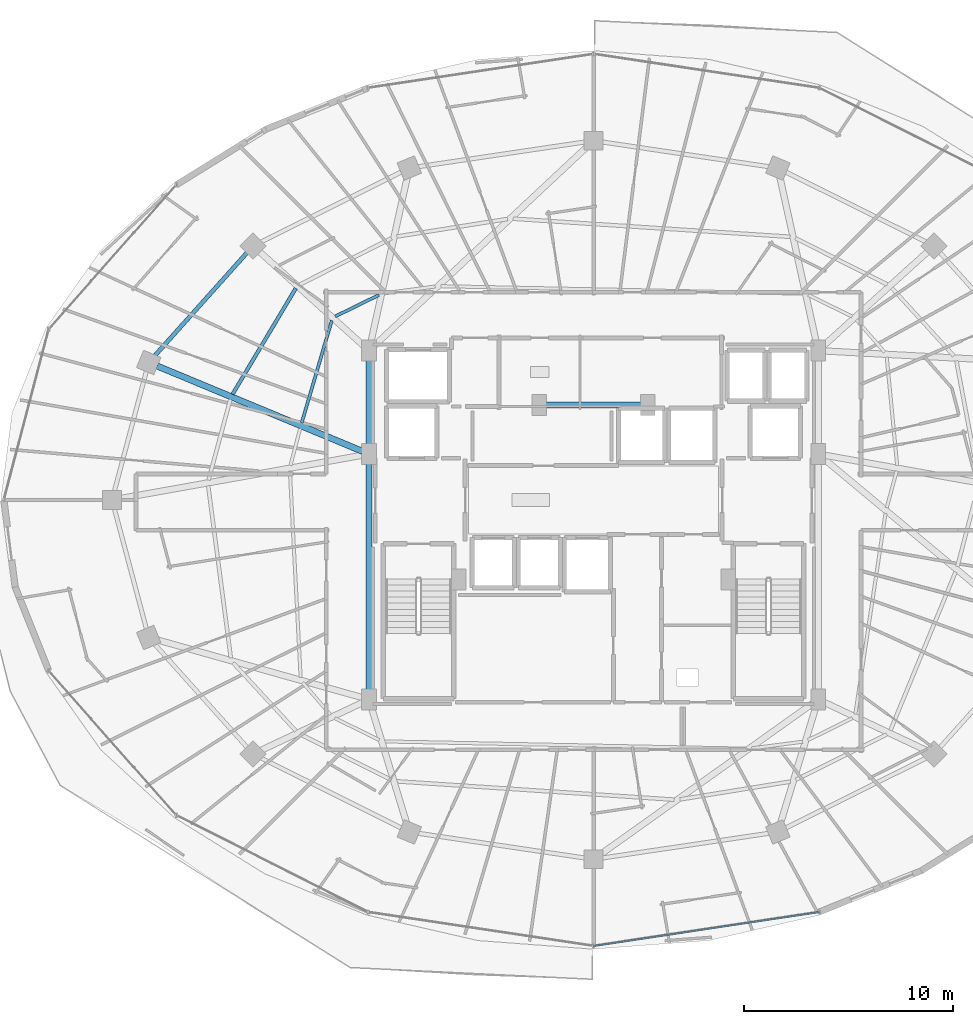
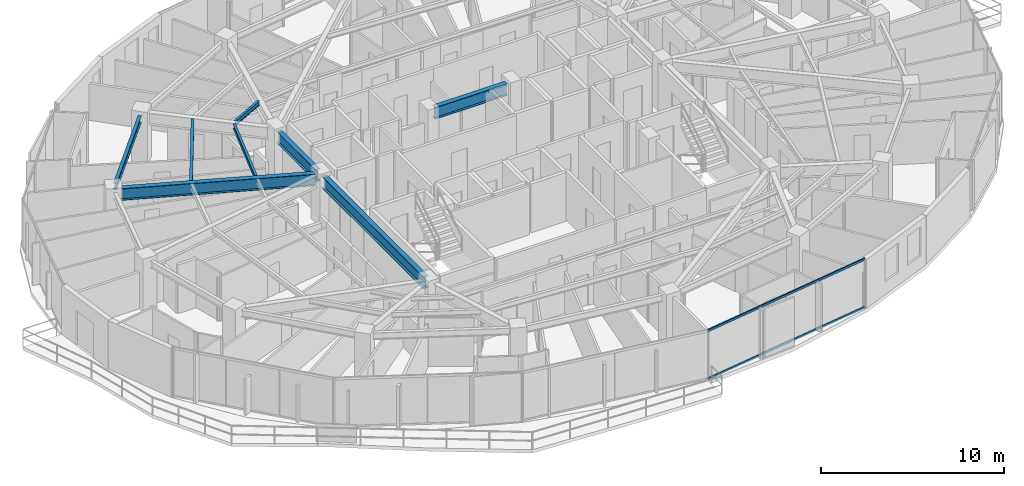
# One storey, part 10 of 34: 8 beams, 2 members, 1 element without a shape of its own.
"""IFC4 building model written with IfcOpenShell, lengths in metres."""

from ifc_helpers import new_model, si_unit, direction, frame, origin, origin_2d, place, context, subcontext, project, spatial, hollow_rectangle, i_section, extrude, material, material_profile, profile_set, type_object, element, aggregate, save


model = new_model("IFC4")

# Units and contexts
model_context = context("Model", 3, precision=1e-05, world=origin(), true_north=direction((0.0, 1.0)))
body_context = subcontext(model_context, "Body", "Model", "MODEL_VIEW")
ifc_project = project(units=[si_unit("LENGTHUNIT", "METRE"), si_unit("AREAUNIT", "SQUARE_METRE"), si_unit("VOLUMEUNIT", "CUBIC_METRE"), si_unit("PLANEANGLEUNIT", "RADIAN"), si_unit("MASSUNIT", "GRAM", prefix="KILO")], contexts=[model_context])

# Site, building, storey
site_placement = place(None, origin())
site = spatial("IfcSite", under=ifc_project, at=site_placement, CompositionType="ELEMENT")
building_placement = place(site_placement, origin())
building = spatial("IfcBuilding", under=site, at=building_placement, Name="Vorneva Point Tower", CompositionType="ELEMENT")
storey_placement = place(building_placement, frame((0.0, 0.0, 182.60009765625)))
storey = spatial("IfcBuildingStorey", under=building, at=storey_placement, Name="L49", CompositionType="ELEMENT", Elevation=182.60009765625)

# Beams
ifc_material_1 = material(Name="Steel S355", Category="steel")
ifc_material_profile_1 = material_profile(ifc_material_1, i_section(OverallWidth=0.300048828125, OverallDepth=0.7880859375, WebThickness=0.014404296875, FlangeThickness=0.02197265625, at=origin_2d()), Name="80Sh1")
ifc_profile_set_1 = profile_set([ifc_material_profile_1], Name="Steel S355")
beam_type_1 = type_object("IfcBeamType", Name="BM-GRD-80Sh1", PredefinedType="USERDEFINED", material=ifc_profile_set_1)
beam_1_placement = place(storey_placement, frame((17.109130859375, 32.4140625, 2.845947265625), z_axis=(0.923445067159, -0.383730645035, 0.0), x_axis=(0.383730645035, 0.923445067159, 0.0)))
element("IfcBeam", 1, at=beam_1_placement, inside=storey, type_object=beam_type_1, Name="L49 Radial Primary Girder 08", ObjectType="GIRDER", PredefinedType="USERDEFINED", context=body_context, shape_type="SweptSolid", body=[
    extrude(i_section(OverallWidth=0.300048828125, OverallDepth=0.7880859375, WebThickness=0.014404296875, FlangeThickness=0.02197265625, at=origin_2d()), origin(), (0.0, 0.0, 1.0), 10.6416015625),
])
beam_2_placement = place(storey_placement, frame((27.25, 16.77001953125, 2.845947265625), z_axis=(0.0, 1.0, 0.0), x_axis=(-1.0, 0.0, 0.0)))
element("IfcBeam", 2, at=beam_2_placement, inside=storey, type_object=beam_type_1, Name="L49 Core Tie Girder CT1", ObjectType="GIRDER", PredefinedType="USERDEFINED", context=body_context, shape_type="SweptSolid", body=[
    extrude(i_section(OverallWidth=0.300048828125, OverallDepth=0.7880859375, WebThickness=0.014404296875, FlangeThickness=0.02197265625, at=origin_2d()), origin(), (0.0, 0.0, 1.0), 11.10986328125),
])
beam_3_placement = place(storey_placement, frame((27.25, 28.52001953125, 2.845947265625), z_axis=(0.0, 1.0, 0.0), x_axis=(-1.0, 0.0, 0.0)))
element("IfcBeam", 3, at=beam_3_placement, inside=storey, type_object=beam_type_1, Name="L49 Core Tie Girder CT2", ObjectType="GIRDER", PredefinedType="USERDEFINED", context=body_context, shape_type="SweptSolid", body=[
    extrude(i_section(OverallWidth=0.300048828125, OverallDepth=0.7880859375, WebThickness=0.014404296875, FlangeThickness=0.02197265625, at=origin_2d()), origin(), (0.0, 0.0, 1.0), 4.31005859375),
])
beam_4_placement = place(storey_placement, frame((35.719970703125, 30.550048828125, 2.845947265625), z_axis=(1.0, 0.0, 0.0), x_axis=(0.0, 1.0, 0.0)))
element("IfcBeam", 4, at=beam_4_placement, inside=storey, type_object=beam_type_1, Name="L49 Core Tie Girder CT8", ObjectType="GIRDER", PredefinedType="USERDEFINED", context=body_context, shape_type="SweptSolid", body=[
    extrude(i_section(OverallWidth=0.300048828125, OverallDepth=0.7880859375, WebThickness=0.014404296875, FlangeThickness=0.02197265625, at=origin_2d()), origin(), (0.0, 0.0, 1.0), 4.56005859375),
])
ifc_material_profile_2 = material_profile(ifc_material_1, i_section(OverallWidth=0.14892578125, OverallDepth=0.298095703125, WebThickness=0.005615234375, FlangeThickness=0.008056640625, at=origin_2d()), Name="30B1")
ifc_profile_set_2 = profile_set([ifc_material_profile_2], Name="Steel S355")
beam_type_2 = type_object("IfcBeamType", Name="BM-JST-30B1", PredefinedType="JOIST", material=ifc_profile_set_2)
beam_5_placement = place(storey_placement, frame((27.727783203125, 35.8154296875, 3.0908203125), z_axis=(-0.897704429199, -0.440598181789, 0.0), x_axis=(0.440598181789, -0.897704429199, 0.0)))
element("IfcBeam", 5, at=beam_5_placement, inside=storey, type_object=beam_type_2, Name="L49 Secondary Floor Beam 2.06", PredefinedType="JOIST", context=body_context, shape_type="SweptSolid", body=[
    extrude(i_section(OverallWidth=0.14892578125, OverallDepth=0.298095703125, WebThickness=0.005615234375, FlangeThickness=0.008056640625, at=origin_2d()), origin(), (0.0, 0.0, 1.0), 2.336669921875),
])
beam_6_placement = place(storey_placement, frame((25.46728515625, 34.5927734375, 3.0908203125), z_axis=(-0.281778448701, -0.959479497357, 0.0), x_axis=(0.959479497357, -0.281778448701, 0.0)))
element("IfcBeam", 6, at=beam_6_placement, inside=storey, type_object=beam_type_2, Name="L49 Secondary Floor Beam 2.07", PredefinedType="JOIST", context=body_context, shape_type="SweptSolid", body=[
    extrude(i_section(OverallWidth=0.14892578125, OverallDepth=0.298095703125, WebThickness=0.005615234375, FlangeThickness=0.008056640625, at=origin_2d()), origin(), (0.0, 0.0, 1.0), 5.11181640625),
])
ifc_material_profile_3 = material_profile(ifc_material_1, i_section(OverallWidth=0.174072265625, OverallDepth=0.345947265625, WebThickness=0.006103515625, FlangeThickness=0.009033203125, at=origin_2d()), Name="35B1")
ifc_profile_set_3 = profile_set([ifc_material_profile_3], Name="Steel S355")
beam_type_3 = type_object("IfcBeamType", Name="BM-SEC-35B1", PredefinedType="BEAM", material=ifc_profile_set_3)
beam_7_placement = place(storey_placement, frame((23.7451171875, 36.133544921875, 3.06689453125), z_axis=(-0.512622198489, -0.858614279882, 0.0), x_axis=(0.858614279882, -0.512622198489, 0.0)))
element("IfcBeam", 7, at=beam_7_placement, inside=storey, type_object=beam_type_3, Name="L49 Secondary Floor Beam 1.07", PredefinedType="BEAM", context=body_context, shape_type="SweptSolid", body=[
    extrude(i_section(OverallWidth=0.174072265625, OverallDepth=0.345947265625, WebThickness=0.006103515625, FlangeThickness=0.009033203125, at=origin_2d()), origin(), (0.0, 0.0, 1.0), 5.906005859375),
])
ifc_material_profile_4 = material_profile(ifc_material_1, i_section(OverallWidth=0.198974609375, OverallDepth=0.446044921875, WebThickness=0.008056640625, FlangeThickness=0.011962890625, at=origin_2d()), Name="45B1")
ifc_profile_set_4 = profile_set([ifc_material_profile_4], Name="Steel S355")
beam_type_4 = type_object("IfcBeamType", Name="BM-SPN-45B1", PredefinedType="SPANDREL", material=ifc_profile_set_4)
beam_8_placement = place(storey_placement, frame((21.410888671875, 37.838134765625, 3.016845703125), z_axis=(-0.66706970547, -0.744995307397, 0.0), x_axis=(0.744995307397, -0.66706970547, 0.0)))
element("IfcBeam", 8, at=beam_8_placement, inside=storey, type_object=beam_type_4, Name="L49 Perimeter Spandrel Ring Beam 07", PredefinedType="SPANDREL", context=body_context, shape_type="SweptSolid", body=[
    extrude(i_section(OverallWidth=0.198974609375, OverallDepth=0.446044921875, WebThickness=0.008056640625, FlangeThickness=0.011962890625, at=origin_2d()), origin(), (0.0, 0.0, 1.0), 6.6201171875),
])

# Curtain wall, members
ifc_material_2 = material(Name="Pale anodised aluminium", Category="aluminium")
curtain_wall_type = type_object("IfcCurtainWallType", Name="CW-RES-SYS", PredefinedType="NOTDEFINED", material=ifc_material_2)
curtain_wall_placement = place(storey_placement, origin())
curtain_wall = element("IfcCurtainWall", 9, at=curtain_wall_placement, inside=storey, type_object=curtain_wall_type, Name="L49 Unitised Curtain Wall CW-L49-R03", PredefinedType="NOTDEFINED")
ifc_material_profile_5 = material_profile(ifc_material_2, hollow_rectangle(XDim=0.074951171875, YDim=0.14990234375, WallThickness=0.00390625, at=origin_2d()), Name="AL-TRN 150x75x4")
ifc_profile_set_5 = profile_set([ifc_material_profile_5], Name="Pale anodised aluminium")
member_type = type_object("IfcMemberType", Name="CW-TRN-150", PredefinedType="USERDEFINED", material=ifc_profile_set_5)
member_1_placement = place(storey_placement, frame((38.0, 4.64990234375, 0.02001953125), z_axis=(0.988872333273, 0.148766624239, 0.0), x_axis=(-0.148766624239, 0.988872333273, 0.0)))
member_1 = element("IfcMember", 10, at=member_1_placement, type_object=member_type, Name="CW-L49-R03 Transom 04.1", ObjectType="TRANSOM", PredefinedType="USERDEFINED", context=body_context, shape_type="SweptSolid", body=[
    extrude(hollow_rectangle(XDim=0.074951171875, YDim=0.14990234375, WallThickness=0.00390625, at=origin_2d()), origin(), (0.0, 0.0, 1.0), 10.9248046875),
])
member_2_placement = place(storey_placement, frame((38.0, 4.64990234375, 3.219970703125), z_axis=(0.988872333273, 0.148766624239, 0.0), x_axis=(-0.148766624239, 0.988872333273, 0.0)))
member_2 = element("IfcMember", 11, at=member_2_placement, type_object=member_type, Name="CW-L49-R03 Transom 04.2", ObjectType="TRANSOM", PredefinedType="USERDEFINED", context=body_context, shape_type="SweptSolid", body=[
    extrude(hollow_rectangle(XDim=0.074951171875, YDim=0.14990234375, WallThickness=0.00390625, at=origin_2d()), origin(), (0.0, 0.0, 1.0), 10.9248046875),
])
aggregate(curtain_wall, [member_1, member_2])

save(model, "model.ifc")
